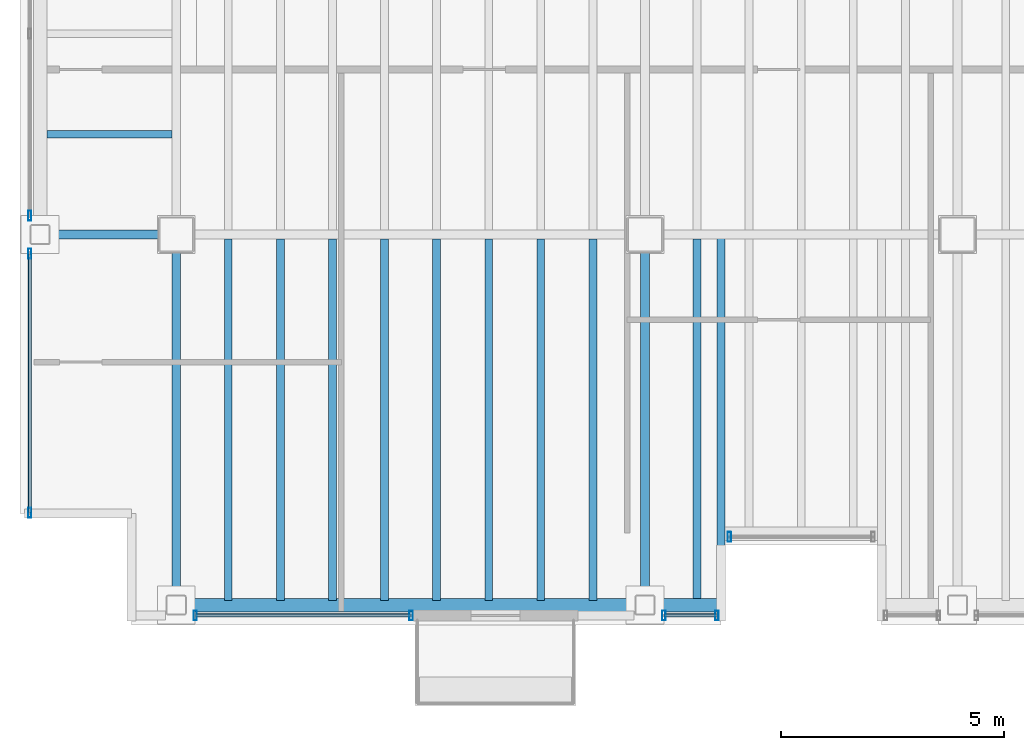
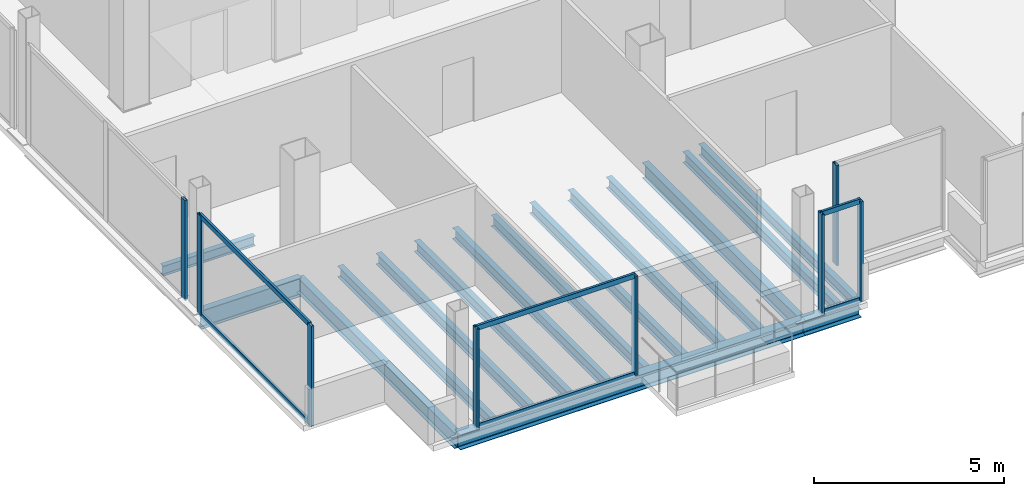
# One storey, part 2 of 15: 16 beams, 14 members, 5 elements without a shape of their own.
"""IFC4 building model written with IfcOpenShell, lengths in metres."""

from ifc_helpers import new_model, si_unit, direction, frame, origin, origin_2d, place, context, subcontext, project, spatial, hollow_rectangle, i_section, extrude, material, material_profile, profile_set, type_object, element, aggregate, save


model = new_model("IFC4")

# Units and contexts
model_context = context("Model", 3, precision=1e-05, world=origin(), true_north=direction((0.0, 1.0)))
body_context = subcontext(model_context, "Body", "Model", "MODEL_VIEW")
ifc_project = project(units=[si_unit("LENGTHUNIT", "METRE"), si_unit("AREAUNIT", "SQUARE_METRE"), si_unit("VOLUMEUNIT", "CUBIC_METRE"), si_unit("PLANEANGLEUNIT", "RADIAN"), si_unit("MASSUNIT", "GRAM", prefix="KILO")], contexts=[model_context])

# Site, building, storey
site_placement = place(None, origin())
site = spatial("IfcSite", under=ifc_project, at=site_placement, CompositionType="ELEMENT")
building_placement = place(site_placement, origin())
building = spatial("IfcBuilding", under=site, at=building_placement, Name="Noeulbin Bourse Tower", CompositionType="ELEMENT")
storey_placement = place(building_placement, frame((0.0, 0.0, 218.89990234375)))
storey = spatial("IfcBuildingStorey", under=building, at=storey_placement, Name="L54", CompositionType="ELEMENT", Elevation=218.89990234375)

# Beams
ifc_material_1 = material(Name="Steel S355", Category="steel")
ifc_material_profile_1 = material_profile(ifc_material_1, i_section(OverallWidth=0.199951171875, OverallDepth=0.5, WebThickness=0.010009765625, FlangeThickness=0.01611328125, FilletRadius=0.02001953125, at=origin_2d()), Name="H-500x200x10x16", Category="LoadBearing")
ifc_profile_set_1 = profile_set([ifc_material_profile_1], Name="Steel S355")
beam_type_1 = type_object("IfcBeamType", Name="BM-GRD-500", PredefinedType="USERDEFINED", material=ifc_profile_set_1)
for number, where, z_axis, x_axis, name in (
    (1, (13.5, 11.699951171875, -0.429931640625), (0.0, 1.0, 0.0), (-1.0, 0.0, 0.0), "Tower Primary Girder NS L54-1.1"),
    (2, (24.0, 11.699951171875, -0.429931640625), (0.0, 1.0, 0.0), (-1.0, 0.0, 0.0), "Tower Primary Girder NS L54-2.1"),
):
    element("IfcBeam", number, at=place(storey_placement, frame(where, z_axis=z_axis, x_axis=x_axis)), inside=storey, type_object=beam_type_1, Name=name, ObjectType="GIRDER", PredefinedType="USERDEFINED", context=body_context, shape_type="SweptSolid", body=[
        extrude(i_section(OverallWidth=0.199951171875, OverallDepth=0.5, WebThickness=0.010009765625, FlangeThickness=0.01611328125, FilletRadius=0.02001953125, at=origin_2d()), origin(), (0.0, 0.0, 1.0), 8.300048828125),
    ])
ifc_material_profile_2 = material_profile(ifc_material_1, i_section(OverallWidth=0.199951171875, OverallDepth=0.60009765625, WebThickness=0.010986328125, FlangeThickness=0.01708984375, FilletRadius=0.02197265625, at=origin_2d()), Name="H-600x200x11x17", Category="LoadBearing")
ifc_profile_set_2 = profile_set([ifc_material_profile_2], Name="Steel S355")
beam_type_2 = type_object("IfcBeamType", Name="BM-GRD-600", PredefinedType="USERDEFINED", material=ifc_profile_set_2)
beam_1_placement = place(storey_placement, frame((10.449951171875, 20.0, -0.47998046875), z_axis=(1.0, 0.0, 0.0), x_axis=(0.0, 1.0, 0.0)))
element("IfcBeam", 3, at=beam_1_placement, inside=storey, type_object=beam_type_2, Name="Tower Primary Girder EW L54-1.1", ObjectType="GIRDER", PredefinedType="USERDEFINED", context=body_context, shape_type="SweptSolid", body=[
    extrude(i_section(OverallWidth=0.199951171875, OverallDepth=0.60009765625, WebThickness=0.010986328125, FlangeThickness=0.01708984375, FilletRadius=0.02197265625, at=origin_2d()), origin(), (0.0, 0.0, 1.0), 3.050048828125),
])
ifc_material_profile_3 = material_profile(ifc_material_1, i_section(OverallWidth=0.159912109375, OverallDepth=0.320068359375, WebThickness=0.006591796875, FlangeThickness=0.010009765625, FilletRadius=0.012939453125, at=origin_2d()), Name="H-320x160x6.5x10", Category="LoadBearing")
ifc_profile_set_3 = profile_set([ifc_material_profile_3], Name="Steel S355")
beam_type_3 = type_object("IfcBeamType", Name="BM-JST-320", PredefinedType="JOIST", material=ifc_profile_set_3)
beam_2_placement = place(storey_placement, frame((10.60009765625, 22.25, -0.33984375), z_axis=(1.0, 0.0, 0.0), x_axis=(0.0, 1.0, 0.0)))
element("IfcBeam", 4, at=beam_2_placement, inside=storey, type_object=beam_type_3, Name="Wing Composite Joist L54-W47", PredefinedType="JOIST", context=body_context, shape_type="SweptSolid", body=[
    extrude(i_section(OverallWidth=0.159912109375, OverallDepth=0.320068359375, WebThickness=0.006591796875, FlangeThickness=0.010009765625, FilletRadius=0.012939453125, at=origin_2d()), origin(), (0.0, 0.0, 1.0), 2.7998046875),
])
ifc_material_profile_4 = material_profile(ifc_material_1, i_section(OverallWidth=0.175048828125, OverallDepth=0.35009765625, WebThickness=0.007080078125, FlangeThickness=0.010986328125, FilletRadius=0.013916015625, at=origin_2d()), Name="H-350x175x7x11", Category="LoadBearing")
ifc_profile_set_4 = profile_set([ifc_material_profile_4], Name="Steel S355")
beam_type_4 = type_object("IfcBeamType", Name="BM-JST-350", PredefinedType="JOIST", material=ifc_profile_set_4)
beam_3_placement = place(storey_placement, frame((25.699951171875, 11.699951171875, -0.35498046875), z_axis=(0.0, 1.0, 0.0), x_axis=(-1.0, 0.0, 0.0)))
element("IfcBeam", 5, at=beam_3_placement, inside=storey, type_object=beam_type_4, Name="BM-L54-SRT-W", PredefinedType="JOIST", context=body_context, shape_type="SweptSolid", body=[
    extrude(i_section(OverallWidth=0.175048828125, OverallDepth=0.35009765625, WebThickness=0.007080078125, FlangeThickness=0.010986328125, FilletRadius=0.013916015625, at=origin_2d()), origin(), (0.0, 0.0, 1.0), 8.300048828125),
])
for number, where, z_axis, x_axis, name in (
    (6, (14.666748046875, 11.800048828125, -0.35498046875), (0.0, 1.0, 0.0), (-1.0, 0.0, 0.0), "Tower Composite Joist L54-01"),
    (7, (15.833251953125, 11.800048828125, -0.35498046875), (0.0, 1.0, 0.0), (-1.0, 0.0, 0.0), "Tower Composite Joist L54-03"),
    (8, (17.0, 11.800048828125, -0.35498046875), (0.0, 1.0, 0.0), (-1.0, 0.0, 0.0), "Tower Composite Joist L54-05"),
    (9, (18.166748046875, 11.800048828125, -0.35498046875), (0.0, 1.0, 0.0), (-1.0, 0.0, 0.0), "Tower Composite Joist L54-07"),
    (10, (19.333251953125, 11.800048828125, -0.35498046875), (0.0, 1.0, 0.0), (-1.0, 0.0, 0.0), "Tower Composite Joist L54-09"),
    (11, (20.5, 11.800048828125, -0.35498046875), (0.0, 1.0, 0.0), (-1.0, 0.0, 0.0), "Tower Composite Joist L54-11"),
    (12, (21.666748046875, 11.800048828125, -0.35498046875), (0.0, 1.0, 0.0), (-1.0, 0.0, 0.0), "Tower Composite Joist L54-13"),
    (13, (22.833251953125, 11.800048828125, -0.35498046875), (0.0, 1.0, 0.0), (-1.0, 0.0, 0.0), "Tower Composite Joist L54-15"),
    (14, (25.166748046875, 11.800048828125, -0.35498046875), (0.0, 1.0, 0.0), (-1.0, 0.0, 0.0), "Tower Composite Joist L54-17"),
):
    element("IfcBeam", number, at=place(storey_placement, frame(where, z_axis=z_axis, x_axis=x_axis)), inside=storey, type_object=beam_type_4, Name=name, PredefinedType="JOIST", context=body_context, shape_type="SweptSolid", body=[
        extrude(i_section(OverallWidth=0.175048828125, OverallDepth=0.35009765625, WebThickness=0.007080078125, FlangeThickness=0.010986328125, FilletRadius=0.013916015625, at=origin_2d()), origin(), (0.0, 0.0, 1.0), 8.099853515625),
    ])
ifc_material_profile_5 = material_profile(ifc_material_1, i_section(OverallWidth=0.300048828125, OverallDepth=0.488037109375, WebThickness=0.010986328125, FlangeThickness=0.01806640625, FilletRadius=0.02197265625, at=origin_2d()), Name="H-488x300x11x18", Category="LoadBearing")
ifc_profile_set_5 = profile_set([ifc_material_profile_5], Name="Steel S355")
beam_type_5 = type_object("IfcBeamType", Name="BM-SPN-488", PredefinedType="SPANDREL", material=ifc_profile_set_5)
beam_4_placement = place(storey_placement, frame((13.5, 11.699951171875, -0.423828125), z_axis=(1.0, 0.0, 0.0), x_axis=(0.0, 1.0, 0.0)))
element("IfcBeam", 15, at=beam_4_placement, inside=storey, type_object=beam_type_5, Name="South Spandrel L54-1", PredefinedType="SPANDREL", context=body_context, shape_type="SweptSolid", body=[
    extrude(i_section(OverallWidth=0.300048828125, OverallDepth=0.488037109375, WebThickness=0.010986328125, FlangeThickness=0.01806640625, FilletRadius=0.02197265625, at=origin_2d()), origin(), (0.0, 0.0, 1.0), 10.5),
])
beam_5_placement = place(storey_placement, frame((24.0, 11.699951171875, -0.423828125), z_axis=(1.0, 0.0, 0.0), x_axis=(0.0, 1.0, 0.0)))
element("IfcBeam", 16, at=beam_5_placement, inside=storey, type_object=beam_type_5, Name="South Spandrel L54-2A", PredefinedType="SPANDREL", context=body_context, shape_type="SweptSolid", body=[
    extrude(i_section(OverallWidth=0.300048828125, OverallDepth=0.488037109375, WebThickness=0.010986328125, FlangeThickness=0.01806640625, FilletRadius=0.02197265625, at=origin_2d()), origin(), (0.0, 0.0, 1.0), 1.699951171875),
])

# Curtain wall, member
ifc_material_2 = material(Name="High-Selectivity Low-Iron Glazing", Category="glass")
curtain_wall_type = type_object("IfcCurtainWallType", Name="CW-SYS-4", PredefinedType="NOTDEFINED", material=ifc_material_2)
curtain_wall_1_placement = place(storey_placement, origin())
curtain_wall_1 = element("IfcCurtainWall", 17, at=curtain_wall_1_placement, inside=storey, type_object=curtain_wall_type, Name="Unitised Curtain Wall CW-L54-SREC", PredefinedType="NOTDEFINED")
ifc_material_3 = material(Name="Anodised Aluminium 6063-T6", Category="aluminium")
ifc_material_profile_6 = material_profile(ifc_material_3, hollow_rectangle(XDim=0.074951171875, YDim=0.219970703125, WallThickness=0.0048828125, InnerFilletRadius=0.00244140625, OuterFilletRadius=0.0048828125, at=origin_2d()), Name="ALU-MULL-75x220x5", Category="LoadBearing")
ifc_profile_set_6 = profile_set([ifc_material_profile_6], Name="Anodised Aluminium 6063-T6")
member_type_1 = type_object("IfcMemberType", Name="CW-SYS-4-MUL", PredefinedType="MULLION", material=ifc_profile_set_6)
member_1_placement = place(storey_placement, frame((25.889892578125, 13.22998046875, -0.02001953125), z_axis=(0.0, 0.0, 1.0), x_axis=(1.0, 0.0, 0.0)))
member_1 = element("IfcMember", 18, at=member_1_placement, type_object=member_type_1, Name="Curtain Wall Mullion CW-L54-SREC-M00", PredefinedType="MULLION", context=body_context, shape_type="SweptSolid", body=[
    extrude(hollow_rectangle(XDim=0.074951171875, YDim=0.219970703125, WallThickness=0.0048828125, InnerFilletRadius=0.00244140625, OuterFilletRadius=0.0048828125, at=origin_2d()), origin(), (0.0, 0.0, 1.0), 3.22021484375),
])
aggregate(curtain_wall_1, [member_1])

# Curtain wall, members
curtain_wall_2_placement = place(storey_placement, origin())
curtain_wall_2 = element("IfcCurtainWall", 19, at=curtain_wall_2_placement, inside=storey, type_object=curtain_wall_type, Name="Unitised Curtain Wall CW-L54-S1", PredefinedType="NOTDEFINED")
member_2_placement = place(storey_placement, frame((13.925048828125, 11.469970703125, -0.02001953125), z_axis=(0.0, 0.0, 1.0), x_axis=(1.0, 0.0, 0.0)))
member_2 = element("IfcMember", 20, at=member_2_placement, type_object=member_type_1, Name="Curtain Wall Mullion CW-L54-S1-M00", PredefinedType="MULLION", context=body_context, shape_type="SweptSolid", body=[
    extrude(hollow_rectangle(XDim=0.074951171875, YDim=0.219970703125, WallThickness=0.0048828125, InnerFilletRadius=0.00244140625, OuterFilletRadius=0.0048828125, at=origin_2d()), origin(), (0.0, 0.0, 1.0), 3.22021484375),
])
member_3_placement = place(storey_placement, frame((18.760009765625, 11.469970703125, -0.02001953125), z_axis=(0.0, 0.0, 1.0), x_axis=(1.0, 0.0, 0.0)))
member_3 = element("IfcMember", 21, at=member_3_placement, type_object=member_type_1, Name="Curtain Wall Mullion CW-L54-S1-M01", PredefinedType="MULLION", context=body_context, shape_type="SweptSolid", body=[
    extrude(hollow_rectangle(XDim=0.074951171875, YDim=0.219970703125, WallThickness=0.0048828125, InnerFilletRadius=0.00244140625, OuterFilletRadius=0.0048828125, at=origin_2d()), origin(), (0.0, 0.0, 1.0), 3.22021484375),
])

curtain_wall_3_placement = place(storey_placement, origin())
curtain_wall_3 = element("IfcCurtainWall", 22, at=curtain_wall_3_placement, inside=storey, type_object=curtain_wall_type, Name="Unitised Curtain Wall CW-L54-S2", PredefinedType="NOTDEFINED")
member_4_placement = place(storey_placement, frame((24.425048828125, 11.469970703125, -0.02001953125), z_axis=(0.0, 0.0, 1.0), x_axis=(1.0, 0.0, 0.0)))
member_4 = element("IfcMember", 23, at=member_4_placement, type_object=member_type_1, Name="Curtain Wall Mullion CW-L54-S2-M00", PredefinedType="MULLION", context=body_context, shape_type="SweptSolid", body=[
    extrude(hollow_rectangle(XDim=0.074951171875, YDim=0.219970703125, WallThickness=0.0048828125, InnerFilletRadius=0.00244140625, OuterFilletRadius=0.0048828125, at=origin_2d()), origin(), (0.0, 0.0, 1.0), 3.22021484375),
])
member_5_placement = place(storey_placement, frame((25.610107421875, 11.469970703125, -0.02001953125), z_axis=(0.0, 0.0, 1.0), x_axis=(1.0, 0.0, 0.0)))
member_5 = element("IfcMember", 24, at=member_5_placement, type_object=member_type_1, Name="Curtain Wall Mullion CW-L54-S2-M01", PredefinedType="MULLION", context=body_context, shape_type="SweptSolid", body=[
    extrude(hollow_rectangle(XDim=0.074951171875, YDim=0.219970703125, WallThickness=0.0048828125, InnerFilletRadius=0.00244140625, OuterFilletRadius=0.0048828125, at=origin_2d()), origin(), (0.0, 0.0, 1.0), 3.22021484375),
])

curtain_wall_4_placement = place(storey_placement, origin())
curtain_wall_4 = element("IfcCurtainWall", 25, at=curtain_wall_4_placement, inside=storey, type_object=curtain_wall_type, Name="Unitised Curtain Wall CW-L54-W-S1", PredefinedType="NOTDEFINED")
member_6_placement = place(storey_placement, frame((10.219970703125, 13.77001953125, -0.02001953125), z_axis=(0.0, 0.0, 1.0), x_axis=(1.0, 0.0, 0.0)))
member_6 = element("IfcMember", 26, at=member_6_placement, type_object=member_type_1, Name="Curtain Wall Mullion CW-L54-W-S1-M00", PredefinedType="MULLION", context=body_context, shape_type="SweptSolid", body=[
    extrude(hollow_rectangle(XDim=0.074951171875, YDim=0.219970703125, WallThickness=0.0048828125, InnerFilletRadius=0.00244140625, OuterFilletRadius=0.0048828125, at=origin_2d()), origin(), (0.0, 0.0, 1.0), 3.22021484375),
])
member_7_placement = place(storey_placement, frame((10.219970703125, 19.574951171875, -0.02001953125), z_axis=(0.0, 0.0, 1.0), x_axis=(1.0, 0.0, 0.0)))
member_7 = element("IfcMember", 27, at=member_7_placement, type_object=member_type_1, Name="Curtain Wall Mullion CW-L54-W-S1-M01", PredefinedType="MULLION", context=body_context, shape_type="SweptSolid", body=[
    extrude(hollow_rectangle(XDim=0.074951171875, YDim=0.219970703125, WallThickness=0.0048828125, InnerFilletRadius=0.00244140625, OuterFilletRadius=0.0048828125, at=origin_2d()), origin(), (0.0, 0.0, 1.0), 3.22021484375),
])

# Curtain wall, member
curtain_wall_5_placement = place(storey_placement, origin())
curtain_wall_5 = element("IfcCurtainWall", 28, at=curtain_wall_5_placement, inside=storey, type_object=curtain_wall_type, Name="Unitised Curtain Wall CW-L54-W-S2", PredefinedType="NOTDEFINED")
member_8_placement = place(storey_placement, frame((10.219970703125, 20.425048828125, -0.02001953125), z_axis=(0.0, 0.0, 1.0), x_axis=(1.0, 0.0, 0.0)))
member_8 = element("IfcMember", 29, at=member_8_placement, type_object=member_type_1, Name="Curtain Wall Mullion CW-L54-W-S2-M00", PredefinedType="MULLION", context=body_context, shape_type="SweptSolid", body=[
    extrude(hollow_rectangle(XDim=0.074951171875, YDim=0.219970703125, WallThickness=0.0048828125, InnerFilletRadius=0.00244140625, OuterFilletRadius=0.0048828125, at=origin_2d()), origin(), (0.0, 0.0, 1.0), 3.22021484375),
])
aggregate(curtain_wall_5, [member_8])

# Member
ifc_material_profile_7 = material_profile(ifc_material_3, hollow_rectangle(XDim=0.074951171875, YDim=0.159912109375, WallThickness=0.0048828125, InnerFilletRadius=0.00244140625, OuterFilletRadius=0.0048828125, at=origin_2d()), Name="ALU-TRAN-75x160x5", Category="LoadBearing")
ifc_profile_set_7 = profile_set([ifc_material_profile_7], Name="Anodised Aluminium 6063-T6")
member_type_2 = type_object("IfcMemberType", Name="CW-SYS-4-TRN", PredefinedType="USERDEFINED", material=ifc_profile_set_7)
member_9_placement = place(storey_placement, frame((13.93505859375, 11.469970703125, 0.010009765625), z_axis=(1.0, 0.0, 0.0), x_axis=(0.0, 1.0, 0.0)))
member_9 = element("IfcMember", 30, at=member_9_placement, type_object=member_type_2, Name="Curtain Wall Transom CW-L54-S1-T00", ObjectType="TRANSOM", PredefinedType="USERDEFINED", context=body_context, shape_type="SweptSolid", body=[
    extrude(hollow_rectangle(XDim=0.074951171875, YDim=0.159912109375, WallThickness=0.0048828125, InnerFilletRadius=0.00244140625, OuterFilletRadius=0.0048828125, at=origin_2d()), origin(), (0.0, 0.0, 1.0), 4.81494140625),
])

member_10_placement = place(storey_placement, frame((13.93505859375, 11.469970703125, 3.170166015625), z_axis=(1.0, 0.0, 0.0), x_axis=(0.0, 1.0, 0.0)))
member_10 = element("IfcMember", 31, at=member_10_placement, type_object=member_type_2, Name="Curtain Wall Transom CW-L54-S1-T01", ObjectType="TRANSOM", PredefinedType="USERDEFINED", context=body_context, shape_type="SweptSolid", body=[
    extrude(hollow_rectangle(XDim=0.074951171875, YDim=0.159912109375, WallThickness=0.0048828125, InnerFilletRadius=0.00244140625, OuterFilletRadius=0.0048828125, at=origin_2d()), origin(), (0.0, 0.0, 1.0), 4.81494140625),
])

aggregate(curtain_wall_2, [member_2, member_3, member_9, member_10])

member_11_placement = place(storey_placement, frame((24.43505859375, 11.469970703125, 0.010009765625), z_axis=(1.0, 0.0, 0.0), x_axis=(0.0, 1.0, 0.0)))
member_11 = element("IfcMember", 32, at=member_11_placement, type_object=member_type_2, Name="Curtain Wall Transom CW-L54-S2-T00", ObjectType="TRANSOM", PredefinedType="USERDEFINED", context=body_context, shape_type="SweptSolid", body=[
    extrude(hollow_rectangle(XDim=0.074951171875, YDim=0.159912109375, WallThickness=0.0048828125, InnerFilletRadius=0.00244140625, OuterFilletRadius=0.0048828125, at=origin_2d()), origin(), (0.0, 0.0, 1.0), 1.1650390625),
])

member_12_placement = place(storey_placement, frame((24.43505859375, 11.469970703125, 3.170166015625), z_axis=(1.0, 0.0, 0.0), x_axis=(0.0, 1.0, 0.0)))
member_12 = element("IfcMember", 33, at=member_12_placement, type_object=member_type_2, Name="Curtain Wall Transom CW-L54-S2-T01", ObjectType="TRANSOM", PredefinedType="USERDEFINED", context=body_context, shape_type="SweptSolid", body=[
    extrude(hollow_rectangle(XDim=0.074951171875, YDim=0.159912109375, WallThickness=0.0048828125, InnerFilletRadius=0.00244140625, OuterFilletRadius=0.0048828125, at=origin_2d()), origin(), (0.0, 0.0, 1.0), 1.1650390625),
])

aggregate(curtain_wall_3, [member_4, member_5, member_11, member_12])

member_13_placement = place(storey_placement, frame((10.219970703125, 13.780029296875, 0.010009765625), z_axis=(0.0, 1.0, 0.0), x_axis=(-1.0, 0.0, 0.0)))
member_13 = element("IfcMember", 34, at=member_13_placement, type_object=member_type_2, Name="Curtain Wall Transom CW-L54-W-S1-T00", ObjectType="TRANSOM", PredefinedType="USERDEFINED", context=body_context, shape_type="SweptSolid", body=[
    extrude(hollow_rectangle(XDim=0.074951171875, YDim=0.159912109375, WallThickness=0.0048828125, InnerFilletRadius=0.00244140625, OuterFilletRadius=0.0048828125, at=origin_2d()), origin(), (0.0, 0.0, 1.0), 5.784912109375),
])

member_14_placement = place(storey_placement, frame((10.219970703125, 13.780029296875, 3.170166015625), z_axis=(0.0, 1.0, 0.0), x_axis=(-1.0, 0.0, 0.0)))
member_14 = element("IfcMember", 35, at=member_14_placement, type_object=member_type_2, Name="Curtain Wall Transom CW-L54-W-S1-T01", ObjectType="TRANSOM", PredefinedType="USERDEFINED", context=body_context, shape_type="SweptSolid", body=[
    extrude(hollow_rectangle(XDim=0.074951171875, YDim=0.159912109375, WallThickness=0.0048828125, InnerFilletRadius=0.00244140625, OuterFilletRadius=0.0048828125, at=origin_2d()), origin(), (0.0, 0.0, 1.0), 5.784912109375),
])

aggregate(curtain_wall_4, [member_6, member_7, member_13, member_14])

save(model, "model.ifc")
